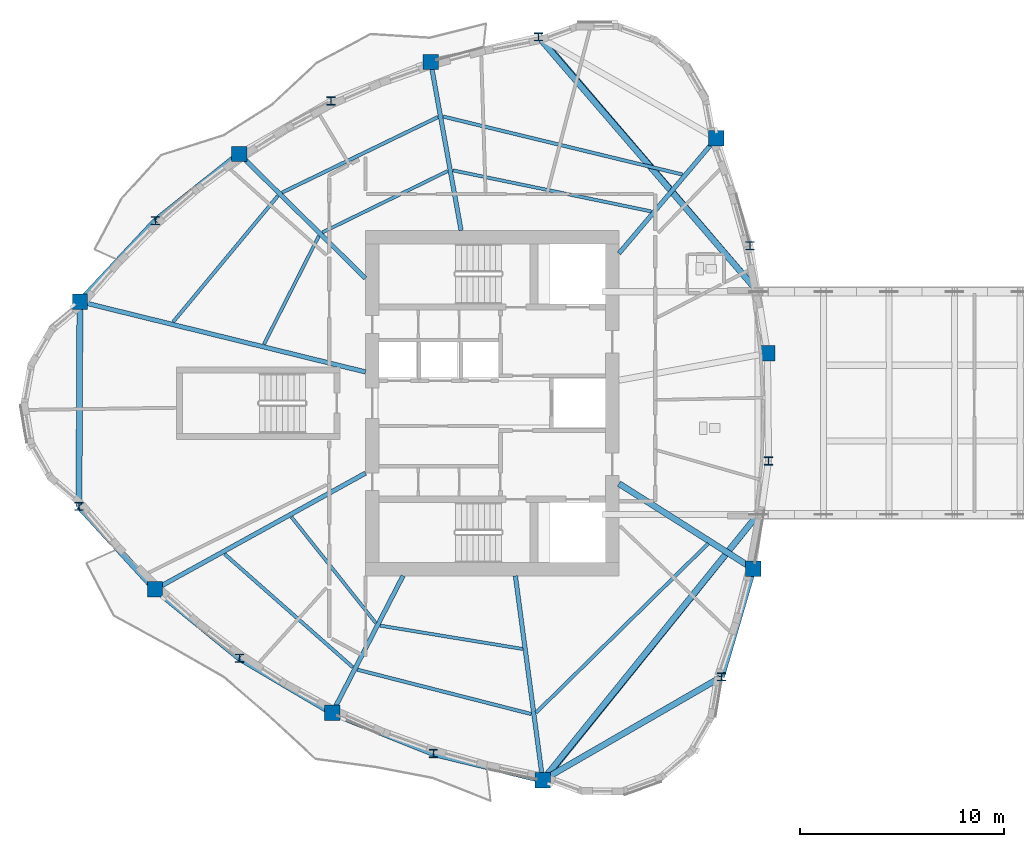
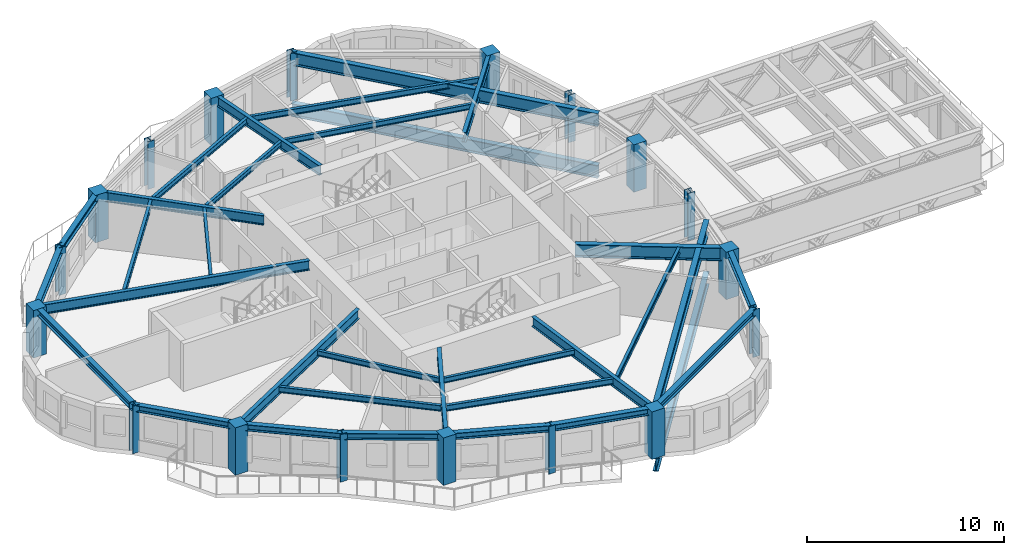
# One storey, part 1 of 13: 33 beams, 18 columns.
"""IFC4 building model written with IfcOpenShell, lengths in metres."""

from ifc_helpers import new_model, si_unit, direction, frame, origin, origin_2d, place, context, subcontext, project, spatial, rectangle, i_section, extrude, source, transform, mapped, material, material_profile, profile_set, type_object, element, save


model = new_model("IFC4")

# Units and contexts
model_context = context("Model", 3, precision=1e-05, world=origin(), true_north=direction((0.0, 1.0)))
body_context = subcontext(model_context, "Body", "Model", "MODEL_VIEW")
ifc_project = project(units=[si_unit("LENGTHUNIT", "METRE"), si_unit("AREAUNIT", "SQUARE_METRE"), si_unit("VOLUMEUNIT", "CUBIC_METRE"), si_unit("PLANEANGLEUNIT", "RADIAN"), si_unit("MASSUNIT", "GRAM", prefix="KILO")], contexts=[model_context])

# Site, building, storey
site_placement = place(None, origin())
site = spatial("IfcSite", under=ifc_project, at=site_placement, CompositionType="ELEMENT")
building_placement = place(site_placement, origin())
building = spatial("IfcBuilding", under=site, at=building_placement, Name="Qafzar Sky-Pleat Residences", CompositionType="ELEMENT")
storey_placement = place(building_placement, frame((0.0, 0.0, 152.199951171875)))
storey = spatial("IfcBuildingStorey", under=building, at=storey_placement, Name="L45", CompositionType="ELEMENT", Elevation=152.199951171875)

# Columns
ifc_material_1 = material(Name="Concrete C60/75", Category="concrete")
ifc_material_profile_1 = material_profile(ifc_material_1, rectangle(XDim=0.75, YDim=0.75, at=origin_2d()), Name="RC 750x750")
ifc_profile_set_1 = profile_set([ifc_material_profile_1], Name="Concrete C60/75")
column_type_1 = type_object("IfcColumnType", Name="COL-RC-750", PredefinedType="COLUMN", material=ifc_profile_set_1)
shared_shape_1 = source(origin(), body_context, "Body", "SweptSolid", [
    extrude(rectangle(XDim=0.75, YDim=0.75, at=origin_2d()), origin(), (0.0, 0.0, 1.0), 2.93505859375),
])
for number, where, z_axis, x_axis, name in (
    (1, (10.173583984375, 30.96728515625, 0.0), (0.0, 0.0, 1.0), (1.0, 0.0, 0.0), "L45 Perimeter Mega Column 1"),
    (2, (13.849365234375, 16.890869140625, 0.0), (0.0, 0.0, 1.0), (1.0, 0.0, 0.0), "L45 Perimeter Mega Column 3"),
    (3, (22.51904296875, 10.843017578125, 0.0), (0.0, 0.0, 1.0), (1.0, 0.0, 0.0), "L45 Perimeter Mega Column 5"),
    (4, (32.817626953125, 7.55419921875, 0.0), (0.0, 0.0, 1.0), (1.0, 0.0, 0.0), "L45 Perimeter Mega Column 7"),
    (5, (43.11669921875, 17.890380859375, 0.0), (0.0, 0.0, 1.0), (1.0, 0.0, 0.0), "L45 Perimeter Mega Column 9"),
    (6, (43.81591796875, 28.43798828125, 0.0), (0.0, 0.0, 1.0), (1.0, 0.0, 0.0), "L45 Perimeter Mega Column 11"),
    (7, (41.31103515625, 38.954833984375, 0.0), (0.0, 0.0, 1.0), (1.0, 0.0, 0.0), "L45 Perimeter Mega Column 13"),
    (8, (27.336181640625, 42.695068359375, 0.0), (0.0, 0.0, 1.0), (1.0, 0.0, 0.0), "L45 Perimeter Mega Column 15"),
    (9, (17.96728515625, 38.1953125, 0.0), (0.0, 0.0, 1.0), (1.0, 0.0, 0.0), "L45 Perimeter Mega Column 17"),
):
    element("IfcColumn", number, at=place(storey_placement, frame(where, z_axis=z_axis, x_axis=x_axis)), inside=storey, type_object=column_type_1, Name=name, PredefinedType="COLUMN", context=body_context, shape_type="MappedRepresentation", body=[
        mapped(shared_shape_1, transform((0.0, 0.0, 0.0), x_axis=(1.0, 0.0, 0.0), y_axis=(0.0, 1.0, 0.0), z_axis=(0.0, 0.0, 1.0), scale=1.0)),
    ])
ifc_material_2 = material(Name="Steel S355", Category="steel")
ifc_material_profile_2 = material_profile(ifc_material_2, i_section(OverallWidth=0.40087890625, OverallDepth=0.39892578125, WebThickness=0.02294921875, FlangeThickness=0.035888671875, FilletRadius=0.014892578125, at=origin_2d()), Name="HD 400x314")
ifc_profile_set_2 = profile_set([ifc_material_profile_2], Name="Steel S355")
column_type_2 = type_object("IfcColumnType", Name="COL-STL-HD314", PredefinedType="PILASTER", material=ifc_profile_set_2)
shared_shape_2 = source(origin(), body_context, "Body", "SweptSolid", [
    extrude(i_section(OverallWidth=0.40087890625, OverallDepth=0.39892578125, WebThickness=0.02294921875, FlangeThickness=0.035888671875, FilletRadius=0.014892578125, at=origin_2d()), origin(), (0.0, 0.0, 1.0), 2.93505859375),
])
for number, where, z_axis, x_axis, name in (
    (10, (10.125244140625, 20.94970703125, 0.0), (0.0, 0.0, 1.0), (1.0, 0.0, 0.0), "L45 Perimeter Mega Column 2"),
    (11, (17.98046875, 13.52197265625, 0.0), (0.0, 0.0, 1.0), (1.0, 0.0, 0.0), "L45 Perimeter Mega Column 4"),
    (12, (27.464599609375, 8.853759765625, 0.0), (0.0, 0.0, 1.0), (1.0, 0.0, 0.0), "L45 Perimeter Mega Column 6"),
    (13, (41.565673828125, 12.60498046875, 0.0), (0.0, 0.0, 1.0), (1.0, 0.0, 0.0), "L45 Perimeter Mega Column 8"),
    (14, (43.866943359375, 23.168212890625, 0.0), (0.0, 0.0, 1.0), (1.0, 0.0, 0.0), "L45 Perimeter Mega Column 10"),
    (15, (42.964111328125, 33.7001953125, 0.0), (0.0, 0.0, 1.0), (1.0, 0.0, 0.0), "L45 Perimeter Mega Column 12"),
    (16, (32.611328125, 43.921630859375, 0.0), (0.0, 0.0, 1.0), (1.0, 0.0, 0.0), "L45 Perimeter Mega Column 14"),
    (17, (22.454833984375, 40.786376953125, 0.0), (0.0, 0.0, 1.0), (1.0, 0.0, 0.0), "L45 Perimeter Mega Column 16"),
    (18, (13.87353515625, 34.92236328125, 0.0), (0.0, 0.0, 1.0), (1.0, 0.0, 0.0), "L45 Perimeter Mega Column 18"),
):
    element("IfcColumn", number, at=place(storey_placement, frame(where, z_axis=z_axis, x_axis=x_axis)), inside=storey, type_object=column_type_2, Name=name, PredefinedType="PILASTER", context=body_context, shape_type="MappedRepresentation", body=[
        mapped(shared_shape_2, transform((0.0, 0.0, 0.0), x_axis=(1.0, 0.0, 0.0), y_axis=(0.0, 1.0, 0.0), z_axis=(0.0, 0.0, 1.0), scale=1.0)),
    ])

# Beams
ifc_material_profile_3 = material_profile(ifc_material_2, i_section(OverallWidth=0.300048828125, OverallDepth=0.39990234375, WebThickness=0.013427734375, FlangeThickness=0.02392578125, FilletRadius=0.027099609375, at=origin_2d()), Name="HEB 400")
ifc_profile_set_3 = profile_set([ifc_material_profile_3], Name="Steel S355")
beam_type_1 = type_object("IfcBeamType", Name="BM-SPAN-HEB400", PredefinedType="SPANDREL", material=ifc_profile_set_3)
shared_shape_3 = source(origin(), body_context, "Body", "SweptSolid", [
    extrude(i_section(OverallWidth=0.300048828125, OverallDepth=0.39990234375, WebThickness=0.013427734375, FlangeThickness=0.02392578125, FilletRadius=0.027099609375, at=origin_2d()), origin(), (0.0, 0.0, 1.0), 10.017578125),
])
beam_1_placement = place(storey_placement, frame((10.173583984375, 30.96728515625, 2.733154296875), z_axis=(-0.004825445866, -0.999988357468, 0.0), x_axis=(0.999988357468, -0.004825445866, 0.0)))
element("IfcBeam", 19, at=beam_1_placement, inside=storey, type_object=beam_type_1, Name="L45 Perimeter Spandrel Beam 1", PredefinedType="SPANDREL", context=body_context, shape_type="MappedRepresentation", body=[
    mapped(shared_shape_3, transform((0.0, 0.0, 0.0), x_axis=(1.0, 0.0, 0.0), y_axis=(0.0, 1.0, 0.0), z_axis=(0.0, 0.0, 1.0), scale=1.0)),
])
shared_shape_4 = source(origin(), body_context, "Body", "SweptSolid", [
    extrude(i_section(OverallWidth=0.300048828125, OverallDepth=0.39990234375, WebThickness=0.013427734375, FlangeThickness=0.02392578125, FilletRadius=0.027099609375, at=origin_2d()), origin(), (0.0, 0.0, 1.0), 10.101318359375),
])
beam_2_placement = place(storey_placement, frame((32.817626953125, 7.55419921875, 2.733154296875), z_axis=(0.86602137294, 0.500006981563, 0.0), x_axis=(-0.500006981563, 0.86602137294, 0.0)))
element("IfcBeam", 20, at=beam_2_placement, inside=storey, type_object=beam_type_1, Name="L45 Perimeter Spandrel Beam 7", PredefinedType="SPANDREL", context=body_context, shape_type="MappedRepresentation", body=[
    mapped(shared_shape_4, transform((0.0, 0.0, 0.0), x_axis=(1.0, 0.0, 0.0), y_axis=(0.0, 1.0, 0.0), z_axis=(0.0, 0.0, 1.0), scale=1.0)),
])
shared_shape_5 = source(origin(), body_context, "Body", "SweptSolid", [
    extrude(i_section(OverallWidth=0.300048828125, OverallDepth=0.39990234375, WebThickness=0.013427734375, FlangeThickness=0.02392578125, FilletRadius=0.027099609375, at=origin_2d()), origin(), (0.0, 0.0, 1.0), 5.508544921875),
])
for number, where, z_axis, x_axis, name in (
    (21, (10.125244140625, 20.94970703125, 2.733154296875), (0.676071762207, -0.73683578384, 0.0), (0.73683578384, 0.676071762207, 0.0), "L45 Perimeter Spandrel Beam 2"),
    (22, (27.464599609375, 8.853759765625, 2.733154296875), (0.971772867316, -0.235918406126, 0.0), (0.235918406126, 0.971772867316, 0.0), "L45 Perimeter Spandrel Beam 6"),
):
    element("IfcBeam", number, at=place(storey_placement, frame(where, z_axis=z_axis, x_axis=x_axis)), inside=storey, type_object=beam_type_1, Name=name, PredefinedType="SPANDREL", context=body_context, shape_type="MappedRepresentation", body=[
        mapped(shared_shape_5, transform((0.0, 0.0, 0.0), x_axis=(1.0, 0.0, 0.0), y_axis=(0.0, 1.0, 0.0), z_axis=(0.0, 0.0, 1.0), scale=1.0)),
    ])
shared_shape_6 = source(origin(), body_context, "Body", "SweptSolid", [
    extrude(i_section(OverallWidth=0.300048828125, OverallDepth=0.39990234375, WebThickness=0.013427734375, FlangeThickness=0.02392578125, FilletRadius=0.027099609375, at=origin_2d()), origin(), (0.0, 0.0, 1.0), 5.33056640625),
])
for number, where, z_axis, x_axis, name in (
    (23, (13.849365234375, 16.890869140625, 2.733154296875), (0.774976584749, -0.631989946986, 0.0), (0.631989946986, 0.774976584749, 0.0), "L45 Perimeter Spandrel Beam 3"),
    (24, (22.51904296875, 10.843017578125, 2.733154296875), (0.92776113482, -0.373174592808, 0.0), (0.373174592808, 0.92776113482, 0.0), "L45 Perimeter Spandrel Beam 5"),
):
    element("IfcBeam", number, at=place(storey_placement, frame(where, z_axis=z_axis, x_axis=x_axis)), inside=storey, type_object=beam_type_1, Name=name, PredefinedType="SPANDREL", context=body_context, shape_type="MappedRepresentation", body=[
        mapped(shared_shape_6, transform((0.0, 0.0, 0.0), x_axis=(1.0, 0.0, 0.0), y_axis=(0.0, 1.0, 0.0), z_axis=(0.0, 0.0, 1.0), scale=1.0)),
    ])
shared_shape_7 = source(origin(), body_context, "Body", "SweptSolid", [
    extrude(i_section(OverallWidth=0.300048828125, OverallDepth=0.39990234375, WebThickness=0.013427734375, FlangeThickness=0.02392578125, FilletRadius=0.027099609375, at=origin_2d()), origin(), (0.0, 0.0, 1.0), 5.270263671875),
])
beam_3_placement = place(storey_placement, frame((17.98046875, 13.52197265625, 2.733154296875), z_axis=(0.861169898552, -0.508317229522, 0.0), x_axis=(0.508317229522, 0.861169898552, 0.0)))
element("IfcBeam", 25, at=beam_3_placement, inside=storey, type_object=beam_type_1, Name="L45 Perimeter Spandrel Beam 4", PredefinedType="SPANDREL", context=body_context, shape_type="MappedRepresentation", body=[
    mapped(shared_shape_7, transform((0.0, 0.0, 0.0), x_axis=(1.0, 0.0, 0.0), y_axis=(0.0, 1.0, 0.0), z_axis=(0.0, 0.0, 1.0), scale=1.0)),
])
shared_shape_8 = source(origin(), body_context, "Body", "SweptSolid", [
    extrude(i_section(OverallWidth=0.300048828125, OverallDepth=0.39990234375, WebThickness=0.013427734375, FlangeThickness=0.02392578125, FilletRadius=0.027099609375, at=origin_2d()), origin(), (0.0, 0.0, 1.0), 5.50830078125),
])
beam_4_placement = place(storey_placement, frame((41.565673828125, 12.60498046875, 2.733154296875), z_axis=(0.281580762913, 0.959537531292, 0.0), x_axis=(-0.959537531292, 0.281580762913, 0.0)))
element("IfcBeam", 26, at=beam_4_placement, inside=storey, type_object=beam_type_1, Name="L45 Perimeter Spandrel Beam 8", PredefinedType="SPANDREL", context=body_context, shape_type="MappedRepresentation", body=[
    mapped(shared_shape_8, transform((0.0, 0.0, 0.0), x_axis=(1.0, 0.0, 0.0), y_axis=(0.0, 1.0, 0.0), z_axis=(0.0, 0.0, 1.0), scale=1.0)),
])
shared_shape_9 = source(origin(), body_context, "Body", "SweptSolid", [
    extrude(i_section(OverallWidth=0.300048828125, OverallDepth=0.39990234375, WebThickness=0.013427734375, FlangeThickness=0.02392578125, FilletRadius=0.027099609375, at=origin_2d()), origin(), (0.0, 0.0, 1.0), 5.2412109375),
])
beam_5_placement = place(storey_placement, frame((17.96728515625, 38.1953125, 2.733154296875), z_axis=(-0.781059638901, -0.624456436015, 0.0), x_axis=(0.624456436015, -0.781059638901, 0.0)))
element("IfcBeam", 27, at=beam_5_placement, inside=storey, type_object=beam_type_1, Name="L45 Perimeter Spandrel Beam 17", PredefinedType="SPANDREL", context=body_context, shape_type="MappedRepresentation", body=[
    mapped(shared_shape_9, transform((0.0, 0.0, 0.0), x_axis=(1.0, 0.0, 0.0), y_axis=(0.0, 1.0, 0.0), z_axis=(0.0, 0.0, 1.0), scale=1.0)),
])
shared_shape_10 = source(origin(), body_context, "Body", "SweptSolid", [
    extrude(i_section(OverallWidth=0.300048828125, OverallDepth=0.39990234375, WebThickness=0.013427734375, FlangeThickness=0.02392578125, FilletRadius=0.027099609375, at=origin_2d()), origin(), (0.0, 0.0, 1.0), 5.416015625),
])
beam_6_placement = place(storey_placement, frame((13.87353515625, 34.92236328125, 2.733154296875), z_axis=(-0.683161006197, -0.730267786235, 0.0), x_axis=(0.730267786235, -0.683161006197, 0.0)))
element("IfcBeam", 28, at=beam_6_placement, inside=storey, type_object=beam_type_1, Name="L45 Perimeter Spandrel Beam 18", PredefinedType="SPANDREL", context=body_context, shape_type="MappedRepresentation", body=[
    mapped(shared_shape_10, transform((0.0, 0.0, 0.0), x_axis=(1.0, 0.0, 0.0), y_axis=(0.0, 1.0, 0.0), z_axis=(0.0, 0.0, 1.0), scale=1.0)),
])
ifc_material_profile_4 = material_profile(ifc_material_2, i_section(OverallWidth=0.219970703125, OverallDepth=0.60009765625, WebThickness=0.011962890625, FlangeThickness=0.01904296875, FilletRadius=0.02392578125, at=origin_2d()), Name="IPE 600")
ifc_profile_set_4 = profile_set([ifc_material_profile_4], Name="Steel S355")
beam_type_2 = type_object("IfcBeamType", Name="BM-SEC-IPE600", PredefinedType="BEAM", material=ifc_profile_set_4)
shared_shape_11 = source(origin(), body_context, "Body", "SweptSolid", [
    extrude(i_section(OverallWidth=0.219970703125, OverallDepth=0.60009765625, WebThickness=0.011962890625, FlangeThickness=0.01904296875, FilletRadius=0.02392578125, at=origin_2d()), origin(), (0.0, 0.0, 1.0), 14.3935546875),
])
beam_7_placement = place(storey_placement, frame((10.173583984375, 30.96728515625, 2.633056640625), z_axis=(0.971005309059, -0.239057921391, 0.0), x_axis=(0.239057921391, 0.971005309059, 0.0)))
element("IfcBeam", 29, at=beam_7_placement, inside=storey, type_object=beam_type_2, Name="L45 Radial Floor Girder 1", PredefinedType="BEAM", context=body_context, shape_type="MappedRepresentation", body=[
    mapped(shared_shape_11, transform((0.0, 0.0, 0.0), x_axis=(1.0, 0.0, 0.0), y_axis=(0.0, 1.0, 0.0), z_axis=(0.0, 0.0, 1.0), scale=1.0)),
])
shared_shape_12 = source(origin(), body_context, "Body", "SweptSolid", [
    extrude(i_section(OverallWidth=0.219970703125, OverallDepth=0.60009765625, WebThickness=0.011962890625, FlangeThickness=0.01904296875, FilletRadius=0.02392578125, at=origin_2d()), origin(), (0.0, 0.0, 1.0), 11.765869140625),
])
beam_8_placement = place(storey_placement, frame((13.849365234375, 16.890869140625, 2.633056640625), z_axis=(0.875452967173, 0.483303323254, 0.0), x_axis=(-0.483303323254, 0.875452967173, 0.0)))
element("IfcBeam", 30, at=beam_8_placement, inside=storey, type_object=beam_type_2, Name="L45 Radial Floor Girder 3", PredefinedType="BEAM", context=body_context, shape_type="MappedRepresentation", body=[
    mapped(shared_shape_12, transform((0.0, 0.0, 0.0), x_axis=(1.0, 0.0, 0.0), y_axis=(0.0, 1.0, 0.0), z_axis=(0.0, 0.0, 1.0), scale=1.0)),
])
shared_shape_13 = source(origin(), body_context, "Body", "SweptSolid", [
    extrude(i_section(OverallWidth=0.219970703125, OverallDepth=0.60009765625, WebThickness=0.011962890625, FlangeThickness=0.01904296875, FilletRadius=0.02392578125, at=origin_2d()), origin(), (0.0, 0.0, 1.0), 7.54931640625),
])
beam_9_placement = place(storey_placement, frame((22.51904296875, 10.843017578125, 2.633056640625), z_axis=(0.459023455259, 0.888424148435, 0.0), x_axis=(-0.888424148435, 0.459023455259, 0.0)))
element("IfcBeam", 31, at=beam_9_placement, inside=storey, type_object=beam_type_2, Name="L45 Radial Floor Girder 5", PredefinedType="BEAM", context=body_context, shape_type="MappedRepresentation", body=[
    mapped(shared_shape_13, transform((0.0, 0.0, 0.0), x_axis=(1.0, 0.0, 0.0), y_axis=(0.0, 1.0, 0.0), z_axis=(0.0, 0.0, 1.0), scale=1.0)),
])
shared_shape_14 = source(origin(), body_context, "Body", "SweptSolid", [
    extrude(i_section(OverallWidth=0.219970703125, OverallDepth=0.60009765625, WebThickness=0.011962890625, FlangeThickness=0.01904296875, FilletRadius=0.02392578125, at=origin_2d()), origin(), (0.0, 0.0, 1.0), 10.0849609375),
])
beam_10_placement = place(storey_placement, frame((32.817626953125, 7.55419921875, 2.633056640625), z_axis=(-0.132590264736, 0.991170934651, 0.0), x_axis=(-0.991170934651, -0.132590264736, 0.0)))
element("IfcBeam", 32, at=beam_10_placement, inside=storey, type_object=beam_type_2, Name="L45 Radial Floor Girder 7", PredefinedType="BEAM", context=body_context, shape_type="MappedRepresentation", body=[
    mapped(shared_shape_14, transform((0.0, 0.0, 0.0), x_axis=(1.0, 0.0, 0.0), y_axis=(0.0, 1.0, 0.0), z_axis=(0.0, 0.0, 1.0), scale=1.0)),
])
ifc_material_3 = material(Name="Steel S460", Category="steel")
ifc_material_profile_5 = material_profile(ifc_material_3, i_section(OverallWidth=0.300048828125, OverallDepth=0.800048828125, WebThickness=0.017578125, FlangeThickness=0.032958984375, FilletRadius=0.030029296875, at=origin_2d()), Name="HEB 800")
ifc_profile_set_5 = profile_set([ifc_material_profile_5], Name="Steel S460")
beam_type_3 = type_object("IfcBeamType", Name="BM-CHORD-HEB800", PredefinedType="BEAM", material=ifc_profile_set_5)
shared_shape_15 = source(origin(), body_context, "Body", "SweptSolid", [
    extrude(i_section(OverallWidth=0.300048828125, OverallDepth=0.800048828125, WebThickness=0.017578125, FlangeThickness=0.032958984375, FilletRadius=0.030029296875, at=origin_2d()), origin(), (0.0, 0.0, 1.0), 7.779541015625),
])
beam_11_placement = place(storey_placement, frame((43.11669921875, 17.890380859375, 2.532958984375), z_axis=(-0.844091524376, 0.536199122039, 0.0), x_axis=(-0.536199122039, -0.844091524376, 0.0)))
element("IfcBeam", 33, at=beam_11_placement, inside=storey, type_object=beam_type_3, Name="L45 Radial Floor Girder 9", PredefinedType="BEAM", context=body_context, shape_type="MappedRepresentation", body=[
    mapped(shared_shape_15, transform((0.0, 0.0, 0.0), x_axis=(1.0, 0.0, 0.0), y_axis=(0.0, 1.0, 0.0), z_axis=(0.0, 0.0, 1.0), scale=1.0)),
])
shared_shape_16 = source(origin(), body_context, "Body", "SweptSolid", [
    extrude(i_section(OverallWidth=0.219970703125, OverallDepth=0.60009765625, WebThickness=0.011962890625, FlangeThickness=0.01904296875, FilletRadius=0.02392578125, at=origin_2d()), origin(), (0.0, 0.0, 1.0), 7.370849609375),
])
beam_12_placement = place(storey_placement, frame((41.31103515625, 38.954833984375, 2.633056640625), z_axis=(-0.645919969231, -0.763405130549, 0.0), x_axis=(0.763405130549, -0.645919969231, 0.0)))
element("IfcBeam", 34, at=beam_12_placement, inside=storey, type_object=beam_type_2, Name="L45 Radial Floor Girder 13", PredefinedType="BEAM", context=body_context, shape_type="MappedRepresentation", body=[
    mapped(shared_shape_16, transform((0.0, 0.0, 0.0), x_axis=(1.0, 0.0, 0.0), y_axis=(0.0, 1.0, 0.0), z_axis=(0.0, 0.0, 1.0), scale=1.0)),
])
shared_shape_17 = source(origin(), body_context, "Body", "SweptSolid", [
    extrude(i_section(OverallWidth=0.219970703125, OverallDepth=0.60009765625, WebThickness=0.011962890625, FlangeThickness=0.01904296875, FilletRadius=0.02392578125, at=origin_2d()), origin(), (0.0, 0.0, 1.0), 8.37841796875),
])
beam_13_placement = place(storey_placement, frame((27.336181640625, 42.695068359375, 2.633056640625), z_axis=(0.177633930077, -0.984096634933, 0.0), x_axis=(0.984096634933, 0.177633930077, 0.0)))
element("IfcBeam", 35, at=beam_13_placement, inside=storey, type_object=beam_type_2, Name="L45 Radial Floor Girder 15", PredefinedType="BEAM", context=body_context, shape_type="MappedRepresentation", body=[
    mapped(shared_shape_17, transform((0.0, 0.0, 0.0), x_axis=(1.0, 0.0, 0.0), y_axis=(0.0, 1.0, 0.0), z_axis=(0.0, 0.0, 1.0), scale=1.0)),
])
shared_shape_18 = source(origin(), body_context, "Body", "SweptSolid", [
    extrude(i_section(OverallWidth=0.219970703125, OverallDepth=0.60009765625, WebThickness=0.011962890625, FlangeThickness=0.01904296875, FilletRadius=0.02392578125, at=origin_2d()), origin(), (0.0, 0.0, 1.0), 8.677734375),
])
beam_14_placement = place(storey_placement, frame((17.96728515625, 38.1953125, 2.633056640625), z_axis=(0.712473981053, -0.701698529515, 0.0), x_axis=(0.701698529515, 0.712473981053, 0.0)))
element("IfcBeam", 36, at=beam_14_placement, inside=storey, type_object=beam_type_2, Name="L45 Radial Floor Girder 17", PredefinedType="BEAM", context=body_context, shape_type="MappedRepresentation", body=[
    mapped(shared_shape_18, transform((0.0, 0.0, 0.0), x_axis=(1.0, 0.0, 0.0), y_axis=(0.0, 1.0, 0.0), z_axis=(0.0, 0.0, 1.0), scale=1.0)),
])
ifc_material_profile_6 = material_profile(ifc_material_2, i_section(OverallWidth=0.169921875, OverallDepth=0.360107421875, WebThickness=0.008056640625, FlangeThickness=0.0126953125, FilletRadius=0.01806640625, at=origin_2d()), Name="IPE 360")
ifc_profile_set_6 = profile_set([ifc_material_profile_6], Name="Steel S355")
beam_type_4 = type_object("IfcBeamType", Name="BM-JST-IPE360", PredefinedType="JOIST", material=ifc_profile_set_6)
shared_shape_19 = source(origin(), body_context, "Body", "SweptSolid", [
    extrude(i_section(OverallWidth=0.169921875, OverallDepth=0.360107421875, WebThickness=0.008056640625, FlangeThickness=0.0126953125, FilletRadius=0.01806640625, at=origin_2d()), origin(), (0.0, 0.0, 1.0), 8.3759765625),
])
beam_15_placement = place(storey_placement, frame((17.24658203125, 18.62109375, 2.7529296875), z_axis=(0.749762146245, -0.661707430862, 0.0), x_axis=(0.661707430862, 0.749762146245, 0.0)))
element("IfcBeam", 37, at=beam_15_placement, inside=storey, type_object=beam_type_4, Name="L45 Outer Secondary Floor Joist 2", PredefinedType="JOIST", context=body_context, shape_type="MappedRepresentation", body=[
    mapped(shared_shape_19, transform((0.0, 0.0, 0.0), x_axis=(1.0, 0.0, 0.0), y_axis=(0.0, 1.0, 0.0), z_axis=(0.0, 0.0, 1.0), scale=1.0)),
])
shared_shape_20 = source(origin(), body_context, "Body", "SweptSolid", [
    extrude(i_section(OverallWidth=0.169921875, OverallDepth=0.360107421875, WebThickness=0.008056640625, FlangeThickness=0.0126953125, FilletRadius=0.01806640625, at=origin_2d()), origin(), (0.0, 0.0, 1.0), 8.7724609375),
])
beam_16_placement = place(storey_placement, frame((23.7587890625, 12.955810546875, 2.7529296875), z_axis=(0.968938996668, -0.247299859961, 0.0), x_axis=(0.247299859961, 0.968938996668, 0.0)))
element("IfcBeam", 38, at=beam_16_placement, inside=storey, type_object=beam_type_4, Name="L45 Outer Secondary Floor Joist 3", PredefinedType="JOIST", context=body_context, shape_type="MappedRepresentation", body=[
    mapped(shared_shape_20, transform((0.0, 0.0, 0.0), x_axis=(1.0, 0.0, 0.0), y_axis=(0.0, 1.0, 0.0), z_axis=(0.0, 0.0, 1.0), scale=1.0)),
])
shared_shape_21 = source(origin(), body_context, "Body", "SweptSolid", [
    extrude(i_section(OverallWidth=0.169921875, OverallDepth=0.360107421875, WebThickness=0.008056640625, FlangeThickness=0.0126953125, FilletRadius=0.01806640625, at=origin_2d()), origin(), (0.0, 0.0, 1.0), 11.82080078125),
])
beam_17_placement = place(storey_placement, frame((32.486083984375, 10.847412109375, 2.7529296875), z_axis=(0.713419028296, 0.700737675642, 0.0), x_axis=(-0.700737675642, 0.713419028296, 0.0)))
element("IfcBeam", 39, at=beam_17_placement, inside=storey, type_object=beam_type_4, Name="L45 Outer Secondary Floor Joist 4", PredefinedType="JOIST", context=body_context, shape_type="MappedRepresentation", body=[
    mapped(shared_shape_21, transform((0.0, 0.0, 0.0), x_axis=(1.0, 0.0, 0.0), y_axis=(0.0, 1.0, 0.0), z_axis=(0.0, 0.0, 1.0), scale=1.0)),
])
shared_shape_22 = source(origin(), body_context, "Body", "SweptSolid", [
    extrude(i_section(OverallWidth=0.169921875, OverallDepth=0.360107421875, WebThickness=0.008056640625, FlangeThickness=0.0126953125, FilletRadius=0.01806640625, at=origin_2d()), origin(), (0.0, 0.0, 1.0), 12.0517578125),
])
beam_18_placement = place(storey_placement, frame((39.65625, 37.18603515625, 2.7529296875), z_axis=(-0.971860786955, 0.235555961036, 0.0), x_axis=(-0.235555961036, -0.971860786955, 0.0)))
element("IfcBeam", 40, at=beam_18_placement, inside=storey, type_object=beam_type_4, Name="L45 Outer Secondary Floor Joist 7", PredefinedType="JOIST", context=body_context, shape_type="MappedRepresentation", body=[
    mapped(shared_shape_22, transform((0.0, 0.0, 0.0), x_axis=(1.0, 0.0, 0.0), y_axis=(0.0, 1.0, 0.0), z_axis=(0.0, 0.0, 1.0), scale=1.0)),
])
shared_shape_23 = source(origin(), body_context, "Body", "SweptSolid", [
    extrude(i_section(OverallWidth=0.169921875, OverallDepth=0.360107421875, WebThickness=0.008056640625, FlangeThickness=0.0126953125, FilletRadius=0.01806640625, at=origin_2d()), origin(), (0.0, 0.0, 1.0), 8.470458984375),
])
beam_19_placement = place(storey_placement, frame((27.69091796875, 39.997802734375, 2.7529296875), z_axis=(-0.900004998157, -0.435879574301, 0.0), x_axis=(0.435879574301, -0.900004998157, 0.0)))
element("IfcBeam", 41, at=beam_19_placement, inside=storey, type_object=beam_type_4, Name="L45 Outer Secondary Floor Joist 8", PredefinedType="JOIST", context=body_context, shape_type="MappedRepresentation", body=[
    mapped(shared_shape_23, transform((0.0, 0.0, 0.0), x_axis=(1.0, 0.0, 0.0), y_axis=(0.0, 1.0, 0.0), z_axis=(0.0, 0.0, 1.0), scale=1.0)),
])
shared_shape_24 = source(origin(), body_context, "Body", "SweptSolid", [
    extrude(i_section(OverallWidth=0.169921875, OverallDepth=0.360107421875, WebThickness=0.008056640625, FlangeThickness=0.0126953125, FilletRadius=0.01806640625, at=origin_2d()), origin(), (0.0, 0.0, 1.0), 8.0244140625),
])
beam_20_placement = place(storey_placement, frame((19.859619140625, 36.14306640625, 2.7529296875), z_axis=(-0.638944642155, -0.769252718072, 0.0), x_axis=(0.769252718072, -0.638944642155, 0.0)))
element("IfcBeam", 42, at=beam_20_placement, inside=storey, type_object=beam_type_4, Name="L45 Outer Secondary Floor Joist 9", PredefinedType="JOIST", context=body_context, shape_type="MappedRepresentation", body=[
    mapped(shared_shape_24, transform((0.0, 0.0, 0.0), x_axis=(1.0, 0.0, 0.0), y_axis=(0.0, 1.0, 0.0), z_axis=(0.0, 0.0, 1.0), scale=1.0)),
])
ifc_material_profile_7 = material_profile(ifc_material_2, i_section(OverallWidth=0.159912109375, OverallDepth=0.330078125, WebThickness=0.007568359375, FlangeThickness=0.011474609375, FilletRadius=0.01806640625, at=origin_2d()), Name="IPE 330")
ifc_profile_set_7 = profile_set([ifc_material_profile_7], Name="Steel S355")
beam_type_5 = type_object("IfcBeamType", Name="BM-JST-IPE330", PredefinedType="JOIST", material=ifc_profile_set_7)
shared_shape_25 = source(origin(), body_context, "Body", "SweptSolid", [
    extrude(i_section(OverallWidth=0.159912109375, OverallDepth=0.330078125, WebThickness=0.007568359375, FlangeThickness=0.011474609375, FilletRadius=0.01806640625, at=origin_2d()), origin(), (0.0, 0.0, 1.0), 6.62548828125),
])
beam_21_placement = place(storey_placement, frame((20.52587890625, 20.424560546875, 2.76806640625), z_axis=(0.622855370596, -0.782337003675, 0.0), x_axis=(0.782337003675, 0.622855370596, 0.0)))
element("IfcBeam", 43, at=beam_21_placement, inside=storey, type_object=beam_type_5, Name="L45 Inner Secondary Floor Joist 2", PredefinedType="JOIST", context=body_context, shape_type="MappedRepresentation", body=[
    mapped(shared_shape_25, transform((0.0, 0.0, 0.0), x_axis=(1.0, 0.0, 0.0), y_axis=(0.0, 1.0, 0.0), z_axis=(0.0, 0.0, 1.0), scale=1.0)),
])
shared_shape_26 = source(origin(), body_context, "Body", "SweptSolid", [
    extrude(i_section(OverallWidth=0.159912109375, OverallDepth=0.330078125, WebThickness=0.007568359375, FlangeThickness=0.011474609375, FilletRadius=0.01806640625, at=origin_2d()), origin(), (0.0, 0.0, 1.0), 7.05126953125),
])
beam_22_placement = place(storey_placement, frame((24.8701171875, 15.113525390625, 2.76806640625), z_axis=(0.986841253711, -0.161692114758, 0.0), x_axis=(0.161692114758, 0.986841253711, 0.0)))
element("IfcBeam", 44, at=beam_22_placement, inside=storey, type_object=beam_type_5, Name="L45 Inner Secondary Floor Joist 3", PredefinedType="JOIST", context=body_context, shape_type="MappedRepresentation", body=[
    mapped(shared_shape_26, transform((0.0, 0.0, 0.0), x_axis=(1.0, 0.0, 0.0), y_axis=(0.0, 1.0, 0.0), z_axis=(0.0, 0.0, 1.0), scale=1.0)),
])
shared_shape_27 = source(origin(), body_context, "Body", "SweptSolid", [
    extrude(i_section(OverallWidth=0.159912109375, OverallDepth=0.330078125, WebThickness=0.007568359375, FlangeThickness=0.011474609375, FilletRadius=0.01806640625, at=origin_2d()), origin(), (0.0, 0.0, 1.0), 9.916748046875),
])
beam_23_placement = place(storey_placement, frame((38.1318359375, 35.380859375, 2.76806640625), z_axis=(-0.979243404556, 0.202687825566, 0.0), x_axis=(-0.202687825566, -0.979243404556, 0.0)))
element("IfcBeam", 45, at=beam_23_placement, inside=storey, type_object=beam_type_5, Name="L45 Inner Secondary Floor Joist 7", PredefinedType="JOIST", context=body_context, shape_type="MappedRepresentation", body=[
    mapped(shared_shape_27, transform((0.0, 0.0, 0.0), x_axis=(1.0, 0.0, 0.0), y_axis=(0.0, 1.0, 0.0), z_axis=(0.0, 0.0, 1.0), scale=1.0)),
])
shared_shape_28 = source(origin(), body_context, "Body", "SweptSolid", [
    extrude(i_section(OverallWidth=0.159912109375, OverallDepth=0.330078125, WebThickness=0.007568359375, FlangeThickness=0.011474609375, FilletRadius=0.01806640625, at=origin_2d()), origin(), (0.0, 0.0, 1.0), 6.818115234375),
])
beam_24_placement = place(storey_placement, frame((28.16748046875, 37.35888671875, 2.76806640625), z_axis=(-0.897908790265, -0.440181558411, 0.0), x_axis=(0.440181558411, -0.897908790265, 0.0)))
element("IfcBeam", 46, at=beam_24_placement, inside=storey, type_object=beam_type_5, Name="L45 Inner Secondary Floor Joist 8", PredefinedType="JOIST", context=body_context, shape_type="MappedRepresentation", body=[
    mapped(shared_shape_28, transform((0.0, 0.0, 0.0), x_axis=(1.0, 0.0, 0.0), y_axis=(0.0, 1.0, 0.0), z_axis=(0.0, 0.0, 1.0), scale=1.0)),
])
shared_shape_29 = source(origin(), body_context, "Body", "SweptSolid", [
    extrude(i_section(OverallWidth=0.159912109375, OverallDepth=0.330078125, WebThickness=0.007568359375, FlangeThickness=0.011474609375, FilletRadius=0.01806640625, at=origin_2d()), origin(), (0.0, 0.0, 1.0), 5.93408203125),
])
beam_25_placement = place(storey_placement, frame((21.86328125, 34.177978515625, 2.76806640625), z_axis=(-0.452242393984, -0.891895070669, 0.0), x_axis=(0.891895070669, -0.452242393984, 0.0)))
element("IfcBeam", 47, at=beam_25_placement, inside=storey, type_object=beam_type_5, Name="L45 Inner Secondary Floor Joist 9", PredefinedType="JOIST", context=body_context, shape_type="MappedRepresentation", body=[
    mapped(shared_shape_29, transform((0.0, 0.0, 0.0), x_axis=(1.0, 0.0, 0.0), y_axis=(0.0, 1.0, 0.0), z_axis=(0.0, 0.0, 1.0), scale=1.0)),
])
shared_shape_30 = source(origin(), body_context, "Body", "SweptSolid", [
    extrude(i_section(OverallWidth=0.300048828125, OverallDepth=0.800048828125, WebThickness=0.017578125, FlangeThickness=0.032958984375, FilletRadius=0.030029296875, at=origin_2d()), origin(), (0.0, 0.0, 1.0), 16.4580078125),
])
beam_26_placement = place(storey_placement, frame((32.611328125, 43.921630859375, 2.532958984375), z_axis=(0.652497580975, -0.757790806768, 0.0), x_axis=(0.757790806768, 0.652497580975, 0.0)))
element("IfcBeam", 48, at=beam_26_placement, inside=storey, type_object=beam_type_3, Name="L45 SB-4 Wing-Belt Top Chord L", PredefinedType="BEAM", context=body_context, shape_type="MappedRepresentation", body=[
    mapped(shared_shape_30, transform((0.0, 0.0, 0.0), x_axis=(1.0, 0.0, 0.0), y_axis=(0.0, 1.0, 0.0), z_axis=(0.0, 0.0, 1.0), scale=1.0)),
])
shared_shape_31 = source(origin(), body_context, "Body", "SweptSolid", [
    extrude(i_section(OverallWidth=0.300048828125, OverallDepth=0.800048828125, WebThickness=0.017578125, FlangeThickness=0.032958984375, FilletRadius=0.030029296875, at=origin_2d()), origin(), (0.0, 0.0, 1.0), 16.476318359375),
])
beam_27_placement = place(storey_placement, frame((32.638671875, 43.96923828125, -0.6669921875), z_axis=(0.650112636378, -0.759837851138, 0.0), x_axis=(0.759837851138, 0.650112636378, 0.0)))
element("IfcBeam", 49, at=beam_27_placement, inside=storey, type_object=beam_type_3, Name="L45 SB-4 Wing-Belt Bottom Chord L", PredefinedType="BEAM", context=body_context, shape_type="MappedRepresentation", body=[
    mapped(shared_shape_31, transform((0.0, 0.0, 0.0), x_axis=(1.0, 0.0, 0.0), y_axis=(0.0, 1.0, 0.0), z_axis=(0.0, 0.0, 1.0), scale=1.0)),
])
shared_shape_32 = source(origin(), body_context, "Body", "SweptSolid", [
    extrude(i_section(OverallWidth=0.300048828125, OverallDepth=0.800048828125, WebThickness=0.017578125, FlangeThickness=0.032958984375, FilletRadius=0.030029296875, at=origin_2d()), origin(), (0.0, 0.0, 1.0), 16.72802734375),
])
beam_28_placement = place(storey_placement, frame((32.817626953125, 7.55419921875, 2.532958984375), z_axis=(0.62963225446, 0.776893315806, 0.0), x_axis=(-0.776893315806, 0.62963225446, 0.0)))
element("IfcBeam", 50, at=beam_28_placement, inside=storey, type_object=beam_type_3, Name="L45 SB-4 Wing-Belt Top Chord R", PredefinedType="BEAM", context=body_context, shape_type="MappedRepresentation", body=[
    mapped(shared_shape_32, transform((0.0, 0.0, 0.0), x_axis=(1.0, 0.0, 0.0), y_axis=(0.0, 1.0, 0.0), z_axis=(0.0, 0.0, 1.0), scale=1.0)),
])
shared_shape_33 = source(origin(), body_context, "Body", "SweptSolid", [
    extrude(i_section(OverallWidth=0.300048828125, OverallDepth=0.800048828125, WebThickness=0.017578125, FlangeThickness=0.032958984375, FilletRadius=0.030029296875, at=origin_2d()), origin(), (0.0, 0.0, 1.0), 16.747802734375),
])
beam_29_placement = place(storey_placement, frame((32.845458984375, 7.506103515625, -0.6669921875), z_axis=(0.627221480406, 0.778840943016, 0.0), x_axis=(-0.778840943016, 0.627221480406, 0.0)))
element("IfcBeam", 51, at=beam_29_placement, inside=storey, type_object=beam_type_3, Name="L45 SB-4 Wing-Belt Bottom Chord R", PredefinedType="BEAM", context=body_context, shape_type="MappedRepresentation", body=[
    mapped(shared_shape_33, transform((0.0, 0.0, 0.0), x_axis=(1.0, 0.0, 0.0), y_axis=(0.0, 1.0, 0.0), z_axis=(0.0, 0.0, 1.0), scale=1.0)),
])

save(model, "model.ifc")
